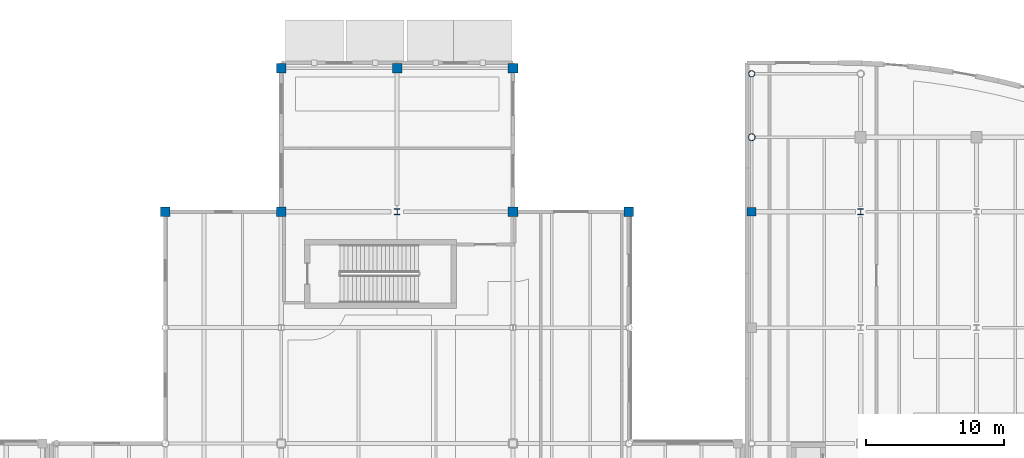
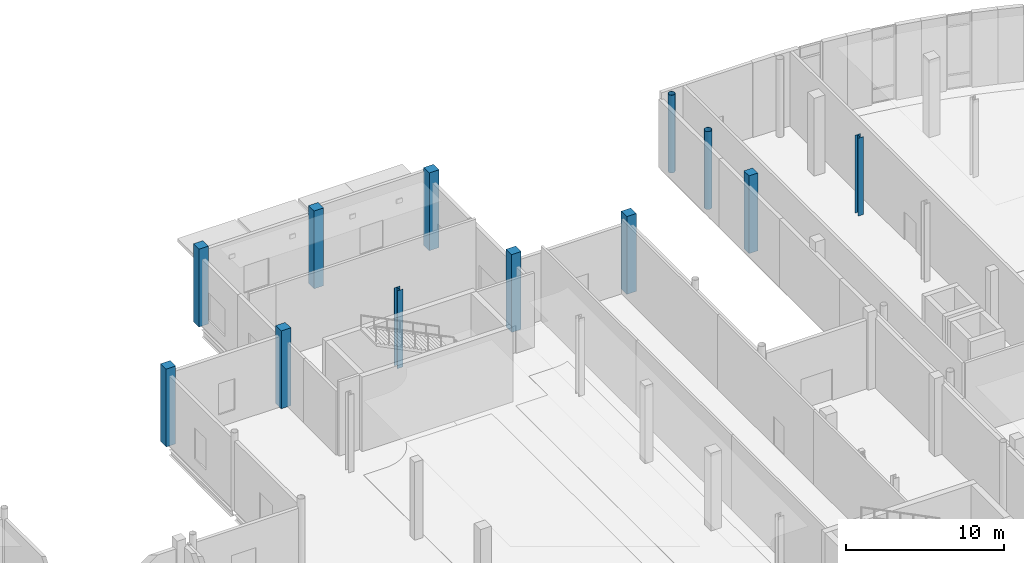
# One storey, part 11 of 85: 12 columns.
"""IFC4 building model written with IfcOpenShell, lengths in metres."""

from ifc_helpers import new_model, si_unit, direction, frame, origin, origin_2d, place, context, subcontext, project, spatial, rectangle, hollow_circle, i_section, extrude, material, material_profile, profile_set, type_object, element, save


model = new_model("IFC4")

# Units and contexts
model_context = context("Model", 3, precision=1e-05, world=origin(), true_north=direction((0.0, 1.0)))
body_context = subcontext(model_context, "Body", "Model", "MODEL_VIEW")
ifc_project = project(units=[si_unit("LENGTHUNIT", "METRE"), si_unit("AREAUNIT", "SQUARE_METRE"), si_unit("VOLUMEUNIT", "CUBIC_METRE"), si_unit("PLANEANGLEUNIT", "RADIAN"), si_unit("MASSUNIT", "GRAM", prefix="KILO"), si_unit("THERMODYNAMICTEMPERATUREUNIT", "KELVIN")], contexts=[model_context])

# Site, building, storey
site_placement = place(None, origin())
site = spatial("IfcSite", under=ifc_project, at=site_placement, CompositionType="ELEMENT")
building_placement = place(site_placement, origin())
building = spatial("IfcBuilding", under=site, at=building_placement, Name="Lustrewick Department Store", CompositionType="ELEMENT")
storey_placement = place(building_placement, origin())
storey = spatial("IfcBuildingStorey", under=building, at=storey_placement, Name="L01", CompositionType="ELEMENT", Elevation=0.0)

# Columns
ifc_material_1 = material(Name="Structural steel Q355B", Category="steel")
ifc_material_profile_1 = material_profile(ifc_material_1, i_section(OverallWidth=0.39990234375, OverallDepth=0.39990234375, WebThickness=0.012939453125, FlangeThickness=0.02099609375, FilletRadius=0.02197265625, at=origin_2d()), Name="HW 400x400x13x21")
ifc_profile_set_1 = profile_set([ifc_material_profile_1], Name="Structural steel Q355B")
column_type_1 = type_object("IfcColumnType", Name="C11", PredefinedType="COLUMN", material=ifc_profile_set_1)
for number, where, z_axis, x_axis, name in (
    (1, (84.0, 100.800048828125, 0.0), (0.0, 0.0, 1.0), (1.0, 0.0, 0.0), "L01 V2 Column C11"),
    (2, (117.60009765625, 100.800048828125, 0.0), (0.0, 0.0, 1.0), (1.0, 0.0, 0.0), "L01 V4 Column C11"),
):
    element("IfcColumn", number, at=place(storey_placement, frame(where, z_axis=z_axis, x_axis=x_axis)), inside=storey, type_object=column_type_1, Name=name, PredefinedType="COLUMN", context=body_context, shape_type="SweptSolid", body=[
        extrude(i_section(OverallWidth=0.39990234375, OverallDepth=0.39990234375, WebThickness=0.012939453125, FlangeThickness=0.02099609375, FilletRadius=0.02197265625, at=origin_2d()), origin(), (0.0, 0.0, 1.0), 6.0),
    ])
ifc_material_2 = material(Name="Structural steel Q355C", Category="steel")
ifc_material_profile_2 = material_profile(ifc_material_2, hollow_circle(Radius=0.25390625, WallThickness=0.01611328125, at=origin_2d()), Name="CHS 508x16")
ifc_profile_set_2 = profile_set([ifc_material_profile_2], Name="Structural steel Q355C")
column_type_2 = type_object("IfcColumnType", Name="CE01", PredefinedType="COLUMN", material=ifc_profile_set_2)
column_1_placement = place(storey_placement, frame((109.699951171875, 106.199951171875, 0.0), z_axis=(0.0, 0.0, 1.0), x_axis=(1.0, 0.0, 0.0)))
element("IfcColumn", 3, at=column_1_placement, inside=storey, type_object=column_type_2, Name="L01 V4 Column CE01", PredefinedType="COLUMN", context=body_context, shape_type="SweptSolid", body=[
    extrude(hollow_circle(Radius=0.25390625, WallThickness=0.01611328125, at=origin_2d()), origin(), (0.0, 0.0, 1.0), 6.0),
])
ifc_material_profile_3 = material_profile(ifc_material_2, hollow_circle(Radius=0.228515625, WallThickness=0.01611328125, at=origin_2d()), Name="CHS 457x16")
ifc_profile_set_3 = profile_set([ifc_material_profile_3], Name="Structural steel Q355C")
column_type_3 = type_object("IfcColumnType", Name="CE02", PredefinedType="COLUMN", material=ifc_profile_set_3)
column_2_placement = place(storey_placement, frame((109.699951171875, 110.800048828125, 0.0), z_axis=(0.0, 0.0, 1.0), x_axis=(1.0, 0.0, 0.0)))
element("IfcColumn", 4, at=column_2_placement, inside=storey, type_object=column_type_3, Name="L01 V4 Column CE02", PredefinedType="COLUMN", context=body_context, shape_type="SweptSolid", body=[
    extrude(hollow_circle(Radius=0.228515625, WallThickness=0.01611328125, at=origin_2d()), origin(), (0.0, 0.0, 1.0), 6.0),
])
ifc_material_3 = material(Name="Concrete C40", Category="concrete")
ifc_material_profile_4 = material_profile(ifc_material_3, rectangle(XDim=0.699951171875, YDim=0.699951171875, at=origin_2d()), Name="RC 700x700")
ifc_profile_set_4 = profile_set([ifc_material_profile_4], Name="Concrete C40")
column_type_4 = type_object("IfcColumnType", Name="CE06", PredefinedType="COLUMN", material=ifc_profile_set_4)
for number, where, z_axis, x_axis, name in (
    (5, (67.199951171875, 100.800048828125, 0.0), (0.0, 0.0, 1.0), (1.0, 0.0, 0.0), "L01 V2 Column CE06"),
    (6, (75.60009765625, 100.800048828125, 0.0), (0.0, 0.0, 1.0), (1.0, 0.0, 0.0), "L01 V2 Column CE06"),
    (7, (75.60009765625, 111.199951171875, 0.0), (0.0, 0.0, 1.0), (1.0, 0.0, 0.0), "L01 V2 Column CE06"),
    (8, (84.0, 111.199951171875, 0.0), (0.0, 0.0, 1.0), (1.0, 0.0, 0.0), "L01 V2 Column CE06"),
    (9, (92.39990234375, 100.800048828125, 0.0), (0.0, 0.0, 1.0), (1.0, 0.0, 0.0), "L01 V2 Column CE06"),
    (10, (92.39990234375, 111.199951171875, 0.0), (0.0, 0.0, 1.0), (1.0, 0.0, 0.0), "L01 V2 Column CE06"),
    (11, (100.800048828125, 100.800048828125, 0.0), (0.0, 0.0, 1.0), (1.0, 0.0, 0.0), "L01 V2 Column CE06"),
):
    element("IfcColumn", number, at=place(storey_placement, frame(where, z_axis=z_axis, x_axis=x_axis)), inside=storey, type_object=column_type_4, Name=name, PredefinedType="COLUMN", context=body_context, shape_type="SweptSolid", body=[
        extrude(rectangle(XDim=0.699951171875, YDim=0.699951171875, at=origin_2d()), origin(), (0.0, 0.0, 1.0), 6.0),
    ])
ifc_material_profile_5 = material_profile(ifc_material_3, rectangle(XDim=0.64990234375, YDim=0.64990234375, at=origin_2d()), Name="RC 650x650")
ifc_profile_set_5 = profile_set([ifc_material_profile_5], Name="Concrete C40")
column_type_5 = type_object("IfcColumnType", Name="CE07", PredefinedType="COLUMN", material=ifc_profile_set_5)
column_3_placement = place(storey_placement, frame((109.699951171875, 100.800048828125, 0.0), z_axis=(0.0, 0.0, 1.0), x_axis=(1.0, 0.0, 0.0)))
element("IfcColumn", 12, at=column_3_placement, inside=storey, type_object=column_type_5, Name="L01 V4 Column CE07", PredefinedType="COLUMN", context=body_context, shape_type="SweptSolid", body=[
    extrude(rectangle(XDim=0.64990234375, YDim=0.64990234375, at=origin_2d()), origin(), (0.0, 0.0, 1.0), 6.0),
])

save(model, "model.ifc")
